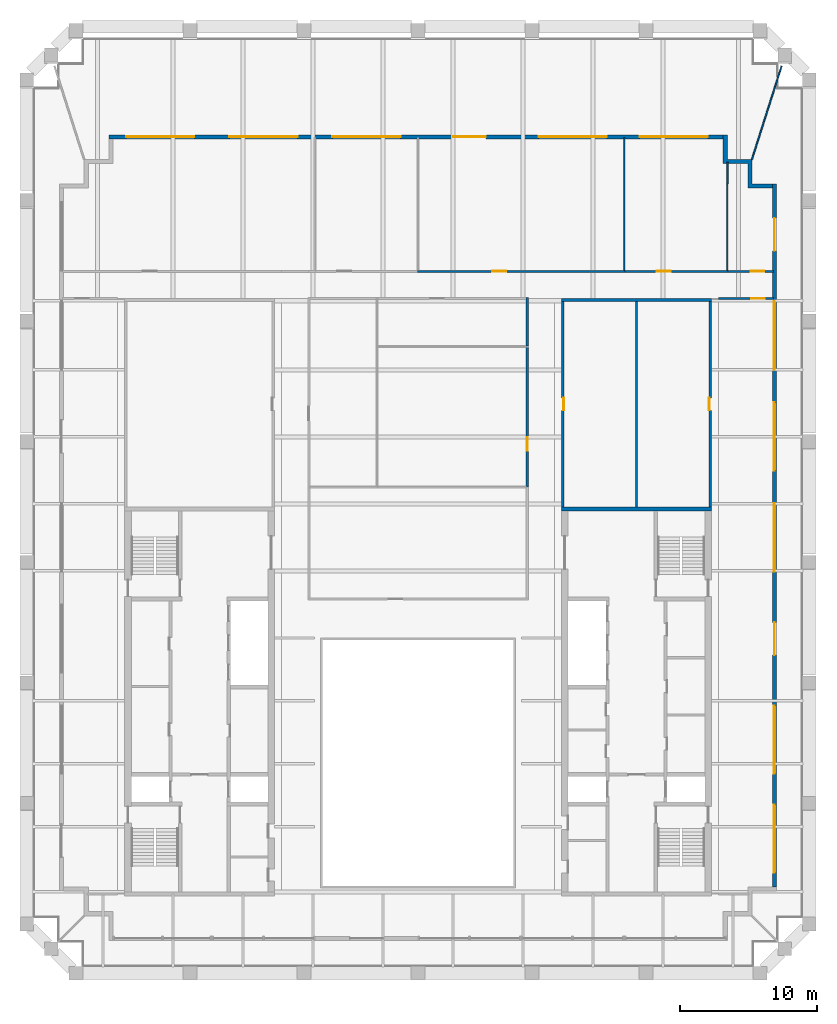
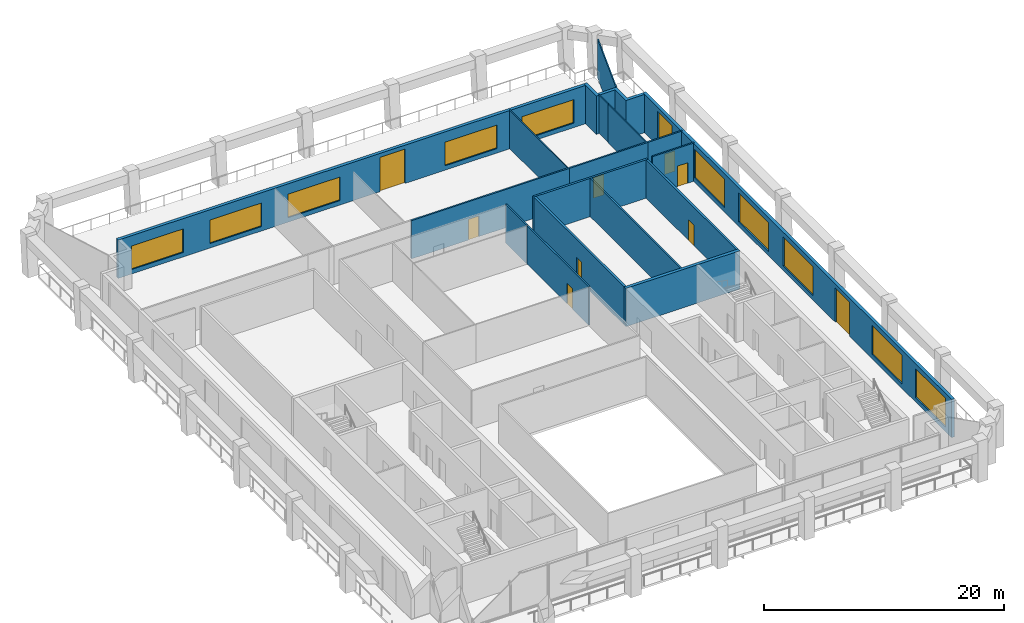
# One storey, part 8 of 10: 18 walls, 10 doors, 10 windows, 20 openings.
"""IFC4 building model written with IfcOpenShell, lengths in metres."""

from ifc_helpers import new_model, si_unit, direction, frame, frame_2d, origin, place, context, subcontext, project, spatial, polyline, rectangle, outline, extrude, material, layer, layer_set, type_object, element, fill, save


model = new_model("IFC4")

# Units and contexts
model_context = context("Model", 3, precision=1e-05, world=origin(), true_north=direction((0.0, 1.0)))
body_context = subcontext(model_context, "Body", "Model", "MODEL_VIEW")
ifc_project = project(units=[si_unit("LENGTHUNIT", "METRE"), si_unit("AREAUNIT", "SQUARE_METRE"), si_unit("VOLUMEUNIT", "CUBIC_METRE"), si_unit("PLANEANGLEUNIT", "RADIAN"), si_unit("MASSUNIT", "GRAM", prefix="KILO")], contexts=[model_context])

# Site, building, storey
site_placement = place(None, origin())
site = spatial("IfcSite", under=ifc_project, at=site_placement, CompositionType="ELEMENT")
building_placement = place(site_placement, origin())
building = spatial("IfcBuilding", under=site, at=building_placement, Name="Ogive Exchange Tower", CompositionType="ELEMENT")
storey_placement = place(building_placement, frame((0.0, 0.0, 359.39990234375)))
storey = spatial("IfcBuildingStorey", under=building, at=storey_placement, Name="L79", CompositionType="ELEMENT", Elevation=359.39990234375)

# Wall
ifc_material_1 = material(Name="Gypsum board partition")
ifc_layer_1 = layer(ifc_material_1, 0.14990234375)
ifc_layer_set_1 = layer_set([ifc_layer_1], Name="Core room partition 150 gypsum")
wall_type_1 = type_object("IfcWallType", Name="Core room partition 150 gypsum", PredefinedType="PARTITIONING", material=ifc_layer_set_1)
wall_1_placement = place(storey_placement, frame((16.0, 25.75, 0.0), z_axis=(0.0, 0.0, 1.0), x_axis=(0.0, 1.0, 0.0)))
element("IfcWall", 1, at=wall_1_placement, inside=storey, type_object=wall_type_1, Name="E annex N column wall", PredefinedType="PARTITIONING", context=body_context, shape_type="SweptSolid", body=[
    extrude(rectangle(XDim=15.050048828125, YDim=0.14990234375, at=frame_2d((7.52490234375, 0.0))), origin(), (0.0, 0.0, 1.0), 3.900146484375),
])

# Wall, opening, door
ifc_material_2 = material(Name="Fire partition EI 60 150")
ifc_layer_2 = layer(ifc_material_2, 0.14990234375)
ifc_layer_set_2 = layer_set([ifc_layer_2], Name="Fire partition EI 60 150")
wall_type_2 = type_object("IfcWallType", Name="Fire partition EI 60 150", PredefinedType="PARTITIONING", material=ifc_layer_set_2)
wall_2_placement = place(storey_placement, frame((-0.050048828125, 43.0, 0.0), z_axis=(0.0, 0.0, 1.0), x_axis=(1.0, 0.0, 0.0)))
wall_2 = element("IfcWall", 2, at=wall_2_placement, inside=storey, type_object=wall_type_2, Name="L79-PWL-016", PredefinedType="PARTITIONING", context=body_context, shape_type="SweptSolid", body=[
    extrude(rectangle(XDim=15.199951171875, YDim=0.14990234375, at=frame_2d((7.60009765625, 0.0))), origin(), (0.0, 0.0, 1.0), 3.900146484375),
])
opening_1_placement = place(wall_2_placement, frame((5.5, 0.0, 0.0)))
opening_1 = element("IfcOpeningElement", 3, at=opening_1_placement, cuts=wall_2, Name="Opening L79-I02", PredefinedType="OPENING", context=body_context, shape_type="SweptSolid", body=[
    extrude(rectangle(XDim=1.0, YDim=2.10009765625, at=frame_2d((0.5, 1.050048828125))), frame((0.0, 0.0849609375, 0.0), z_axis=(0.0, -1.0, 0.0), x_axis=(1.0, 0.0, 0.0)), (0.0, 0.0, 1.0), 0.169921875),
])
ifc_material_3 = material(Name="Fire door FD 30S 1000 x 2100")
door_type_1 = type_object("IfcDoorType", Name="Fire door FD 30S 1000 x 2100", OperationType="NOTDEFINED", PredefinedType="DOOR", material=ifc_material_3)
door_1_placement = place(opening_1_placement, origin())
door_1 = element("IfcDoor", 4, at=door_1_placement, inside=storey, type_object=door_type_1, Name="L79-IDR-002", ObjectType="DT3", OperationType="SINGLE_SWING_RIGHT", OverallHeight=2.10009765625, OverallWidth=1.0, PredefinedType="DOOR", context=body_context, shape_type="SweptSolid", body=[
    extrude(rectangle(XDim=1.0, YDim=2.10009765625, at=frame_2d((0.5, 1.050048828125))), frame((0.0, 0.02490234375, 0.0), z_axis=(0.0, -1.0, 0.0), x_axis=(1.0, 0.0, 0.0)), (0.0, 0.0, 1.0), 0.050048828125),
])
fill(opening_1, door_1)

wall_3_placement = place(storey_placement, frame((8.0, 27.199951171875, 0.0), z_axis=(0.0, 0.0, 1.0), x_axis=(0.0, 1.0, 0.0)))
wall_3 = element("IfcWall", 5, at=wall_3_placement, inside=storey, type_object=wall_type_2, Name="L79-PWL-020", PredefinedType="PARTITIONING", context=body_context, shape_type="SweptSolid", body=[
    extrude(rectangle(XDim=10.25, YDim=0.14990234375, at=frame_2d((5.125, 0.0))), origin(), (0.0, 0.0, 1.0), 3.900146484375),
])
opening_2_placement = place(wall_3_placement, frame((2.64990234375, 0.0, 0.0)))
opening_2 = element("IfcOpeningElement", 6, at=opening_2_placement, cuts=wall_3, Name="Opening L79-I06", PredefinedType="OPENING", context=body_context, shape_type="SweptSolid", body=[
    extrude(rectangle(XDim=1.0, YDim=2.10009765625, at=frame_2d((0.5, 1.050048828125))), frame((0.0, 0.0849609375, 0.0), z_axis=(0.0, -1.0, 0.0), x_axis=(1.0, 0.0, 0.0)), (0.0, 0.0, 1.0), 0.169921875),
])
door_2_placement = place(opening_2_placement, origin())
door_2 = element("IfcDoor", 7, at=door_2_placement, inside=storey, type_object=door_type_1, Name="L79-IDR-006", ObjectType="DT3", OperationType="SINGLE_SWING_RIGHT", OverallHeight=2.10009765625, OverallWidth=1.0, PredefinedType="DOOR", context=body_context, shape_type="SweptSolid", body=[
    extrude(rectangle(XDim=1.0, YDim=2.10009765625, at=frame_2d((0.5, 1.050048828125))), frame((0.0, 0.02490234375, 0.0), z_axis=(0.0, -1.0, 0.0), x_axis=(1.0, 0.0, 0.0)), (0.0, 0.0, 1.0), 0.050048828125),
])
fill(opening_2, door_2)

# Wall
wall_4_placement = place(storey_placement, frame((8.0, 37.550048828125, 0.0), z_axis=(0.0, 0.0, 1.0), x_axis=(0.0, 1.0, 0.0)))
element("IfcWall", 8, at=wall_4_placement, inside=storey, type_object=wall_type_2, Name="L79-PWL-021", PredefinedType="PARTITIONING", context=body_context, shape_type="SweptSolid", body=[
    extrude(rectangle(XDim=3.52490234375, YDim=0.14990234375, at=frame_2d((1.762451171875, 0.0))), origin(), (0.0, 0.0, 1.0), 3.900146484375),
])

# Wall, opening, door
wall_5_placement = place(storey_placement, frame((15.14990234375, 43.0, 0.0), z_axis=(0.0, 0.0, 1.0), x_axis=(1.0, 0.0, 0.0)))
wall_5 = element("IfcWall", 9, at=wall_5_placement, inside=storey, type_object=wall_type_2, Name="L79-PWL-023", PredefinedType="PARTITIONING", context=body_context, shape_type="SweptSolid", body=[
    extrude(rectangle(XDim=7.550048828125, YDim=0.14990234375, at=frame_2d((3.77490234375, 0.0))), origin(), (0.0, 0.0, 1.0), 3.900146484375),
])
opening_3_placement = place(wall_5_placement, frame((2.35009765625, 0.0, 0.0)))
opening_3 = element("IfcOpeningElement", 10, at=opening_3_placement, cuts=wall_5, Name="Opening L79-I04", PredefinedType="OPENING", context=body_context, shape_type="SweptSolid", body=[
    extrude(rectangle(XDim=1.0, YDim=2.10009765625, at=frame_2d((0.5, 1.050048828125))), frame((0.0, 0.0849609375, 0.0), z_axis=(0.0, -1.0, 0.0), x_axis=(1.0, 0.0, 0.0)), (0.0, 0.0, 1.0), 0.169921875),
])
door_3_placement = place(opening_3_placement, origin())
door_3 = element("IfcDoor", 11, at=door_3_placement, inside=storey, type_object=door_type_1, Name="L79-IDR-004", ObjectType="DT3", OperationType="SINGLE_SWING_RIGHT", OverallHeight=2.10009765625, OverallWidth=1.0, PredefinedType="DOOR", context=body_context, shape_type="SweptSolid", body=[
    extrude(rectangle(XDim=1.0, YDim=2.10009765625, at=frame_2d((0.5, 1.050048828125))), frame((0.0, 0.02490234375, 0.0), z_axis=(0.0, -1.0, 0.0), x_axis=(1.0, 0.0, 0.0)), (0.0, 0.0, 1.0), 0.050048828125),
])
fill(opening_3, door_3)

wall_6_placement = place(storey_placement, frame((22.699951171875, 43.0, 0.0), z_axis=(0.0, 0.0, 1.0), x_axis=(1.0, 0.0, 0.0)))
wall_6 = element("IfcWall", 12, at=wall_6_placement, inside=storey, type_object=wall_type_2, Name="L79-PWL-027", PredefinedType="PARTITIONING", context=body_context, shape_type="SweptSolid", body=[
    extrude(rectangle(XDim=3.35009765625, YDim=0.14990234375, at=frame_2d((1.675048828125, 0.0))), origin(), (0.0, 0.0, 1.0), 3.900146484375),
])
opening_4_placement = place(wall_6_placement, frame((1.64990234375, 0.0, 0.0)))
opening_4 = element("IfcOpeningElement", 13, at=opening_4_placement, cuts=wall_6, Name="Opening L79-I03", PredefinedType="OPENING", context=body_context, shape_type="SweptSolid", body=[
    extrude(rectangle(XDim=1.0, YDim=2.10009765625, at=frame_2d((0.5, 1.050048828125))), frame((0.0, 0.0849609375, 0.0), z_axis=(0.0, -1.0, 0.0), x_axis=(1.0, 0.0, 0.0)), (0.0, 0.0, 1.0), 0.169921875),
])
door_4_placement = place(opening_4_placement, origin())
door_4 = element("IfcDoor", 14, at=door_4_placement, inside=storey, type_object=door_type_1, Name="L79-IDR-003", ObjectType="DT3", OperationType="SINGLE_SWING_LEFT", OverallHeight=2.10009765625, OverallWidth=1.0, PredefinedType="DOOR", context=body_context, shape_type="SweptSolid", body=[
    extrude(rectangle(XDim=1.0, YDim=2.10009765625, at=frame_2d((0.5, 1.050048828125))), frame((0.0, 0.02490234375, 0.0), z_axis=(0.0, -1.0, 0.0), x_axis=(1.0, 0.0, 0.0)), (0.0, 0.0, 1.0), 0.050048828125),
])
fill(opening_4, door_4)

wall_7_placement = place(storey_placement, frame((26.050048828125, 41.0, 0.0), z_axis=(0.0, 0.0, 1.0), x_axis=(-1.0, 0.0, 0.0)))
wall_7 = element("IfcWall", 15, at=wall_7_placement, inside=storey, type_object=wall_type_2, Name="L79-PWL-029", PredefinedType="PARTITIONING", context=body_context, shape_type="SweptSolid", body=[
    extrude(rectangle(XDim=4.050048828125, YDim=0.14990234375, at=frame_2d((2.02490234375, 0.0))), origin(), (0.0, 0.0, 1.0), 3.900146484375),
])
opening_5_placement = place(wall_7_placement, frame((0.64990234375, 0.0, 0.0)))
opening_5 = element("IfcOpeningElement", 16, at=opening_5_placement, cuts=wall_7, Name="Opening L79-I11", PredefinedType="OPENING", context=body_context, shape_type="SweptSolid", body=[
    extrude(rectangle(XDim=1.0, YDim=2.10009765625, at=frame_2d((0.5, 1.050048828125))), frame((0.0, 0.0849609375, 0.0), z_axis=(0.0, -1.0, 0.0), x_axis=(1.0, 0.0, 0.0)), (0.0, 0.0, 1.0), 0.169921875),
])
door_5_placement = place(opening_5_placement, origin())
door_5 = element("IfcDoor", 17, at=door_5_placement, inside=storey, type_object=door_type_1, Name="L79-IDR-011", ObjectType="DT3", OperationType="SINGLE_SWING_RIGHT", OverallHeight=2.10009765625, OverallWidth=1.0, PredefinedType="DOOR", context=body_context, shape_type="SweptSolid", body=[
    extrude(rectangle(XDim=1.0, YDim=2.10009765625, at=frame_2d((0.5, 1.050048828125))), frame((0.0, 0.02490234375, 0.0), z_axis=(0.0, -1.0, 0.0), x_axis=(1.0, 0.0, 0.0)), (0.0, 0.0, 1.0), 0.050048828125),
])
fill(opening_5, door_5)

# Wall, openings, windows, doors
ifc_material_4 = material(Name="Precast concrete C40/50", Category="concrete")
ifc_layer_3 = layer(ifc_material_4, 0.300048828125)
ifc_layer_set_3 = layer_set([ifc_layer_3], Name="Limestone-faced wall 300")
wall_type_3 = type_object("IfcWallType", Name="Limestone-faced wall 300", PredefinedType="STANDARD", material=ifc_layer_set_3)
wall_8_placement = place(storey_placement, frame((26.10009765625, -2.10009765625, 0.0), z_axis=(0.0, 0.0, 1.0), x_axis=(0.0, 1.0, 0.0)))
wall_8 = element("IfcWall", 18, at=wall_8_placement, inside=storey, type_object=wall_type_3, Name="External wall E2", PredefinedType="STANDARD", context=body_context, shape_type="SweptSolid", body=[
    extrude(rectangle(XDim=51.5, YDim=0.300048828125, at=frame_2d((25.75, 0.0))), origin(), (0.0, 0.0, 1.0), 3.900146484375),
])
opening_6_placement = place(wall_8_placement, frame((1.050048828125, 0.0, 0.449951171875)))
opening_6 = element("IfcOpeningElement", 19, at=opening_6_placement, cuts=wall_8, Name="Opening W2A", PredefinedType="OPENING", context=body_context, shape_type="SweptSolid", body=[
    extrude(rectangle(XDim=5.0, YDim=2.949951171875, at=frame_2d((2.5, 1.47509765625))), frame((0.0, 0.159912109375, 0.0), z_axis=(0.0, -1.0, 0.0), x_axis=(1.0, 0.0, 0.0)), (0.0, 0.0, 1.0), 0.320068359375),
])
opening_7_placement = place(wall_8_placement, frame((8.300048828125, 0.0, 0.449951171875)))
opening_7 = element("IfcOpeningElement", 20, at=opening_7_placement, cuts=wall_8, Name="Opening W2A", PredefinedType="OPENING", context=body_context, shape_type="SweptSolid", body=[
    extrude(rectangle(XDim=5.0, YDim=2.949951171875, at=frame_2d((2.5, 1.47509765625))), frame((0.0, 0.159912109375, 0.0), z_axis=(0.0, -1.0, 0.0), x_axis=(1.0, 0.0, 0.0)), (0.0, 0.0, 1.0), 0.320068359375),
])
opening_8_placement = place(wall_8_placement, frame((17.0, 0.0, 0.0)))
opening_8 = element("IfcOpeningElement", 21, at=opening_8_placement, cuts=wall_8, Name="Opening D1", PredefinedType="OPENING", context=body_context, shape_type="SweptSolid", body=[
    extrude(rectangle(XDim=2.39990234375, YDim=3.5, at=frame_2d((1.199951171875, 1.75))), frame((0.0, 0.159912109375, 0.0), z_axis=(0.0, -1.0, 0.0), x_axis=(1.0, 0.0, 0.0)), (0.0, 0.0, 1.0), 0.320068359375),
])
opening_9_placement = place(wall_8_placement, frame((23.10009765625, 0.0, 0.449951171875)))
opening_9 = element("IfcOpeningElement", 22, at=opening_9_placement, cuts=wall_8, Name="Opening W2A", PredefinedType="OPENING", context=body_context, shape_type="SweptSolid", body=[
    extrude(rectangle(XDim=5.0, YDim=2.949951171875, at=frame_2d((2.5, 1.47509765625))), frame((0.0, 0.159912109375, 0.0), z_axis=(0.0, -1.0, 0.0), x_axis=(1.0, 0.0, 0.0)), (0.0, 0.0, 1.0), 0.320068359375),
])
opening_10_placement = place(wall_8_placement, frame((30.5, 0.0, 0.449951171875)))
opening_10 = element("IfcOpeningElement", 23, at=opening_10_placement, cuts=wall_8, Name="Opening W2A", PredefinedType="OPENING", context=body_context, shape_type="SweptSolid", body=[
    extrude(rectangle(XDim=5.0, YDim=2.949951171875, at=frame_2d((2.5, 1.47509765625))), frame((0.0, 0.159912109375, 0.0), z_axis=(0.0, -1.0, 0.0), x_axis=(1.0, 0.0, 0.0)), (0.0, 0.0, 1.0), 0.320068359375),
])
opening_11_placement = place(wall_8_placement, frame((37.89990234375, 0.0, 0.449951171875)))
opening_11 = element("IfcOpeningElement", 24, at=opening_11_placement, cuts=wall_8, Name="Opening W2B", PredefinedType="OPENING", context=body_context, shape_type="SweptSolid", body=[
    extrude(rectangle(XDim=5.0, YDim=2.89990234375, at=frame_2d((2.5, 1.449951171875))), frame((0.0, 0.159912109375, 0.0), z_axis=(0.0, -1.0, 0.0), x_axis=(1.0, 0.0, 0.0)), (0.0, 0.0, 1.0), 0.320068359375),
])
opening_12_placement = place(wall_8_placement, frame((46.60009765625, 0.0, 0.0)))
opening_12 = element("IfcOpeningElement", 25, at=opening_12_placement, cuts=wall_8, Name="Opening D1", PredefinedType="OPENING", context=body_context, shape_type="SweptSolid", body=[
    extrude(rectangle(XDim=2.39990234375, YDim=3.5, at=frame_2d((1.199951171875, 1.75))), frame((0.0, 0.159912109375, 0.0), z_axis=(0.0, -1.0, 0.0), x_axis=(1.0, 0.0, 0.0)), (0.0, 0.0, 1.0), 0.320068359375),
])
ifc_material_5 = material(Name="Clear glass in bronze frame", Category="glass")
window_type_1 = type_object("IfcWindowType", Name="Executive lancet window 5000 x 2900", PartitioningType="DOUBLE_PANEL_VERTICAL", PredefinedType="WINDOW", material=ifc_material_5)
window_1_placement = place(opening_11_placement, origin())
window_1 = element("IfcWindow", 26, at=window_1_placement, inside=storey, type_object=window_type_1, Name="Window E05", OverallHeight=2.89990234375, OverallWidth=5.0, PartitioningType="DOUBLE_PANEL_VERTICAL", PredefinedType="WINDOW", context=body_context, shape_type="SweptSolid", body=[
    extrude(rectangle(XDim=5.0, YDim=2.89990234375, at=frame_2d((2.5, 1.449951171875))), frame((0.0, 0.030029296875, 0.0), z_axis=(0.0, -1.0, 0.0), x_axis=(1.0, 0.0, 0.0)), (0.0, 0.0, 1.0), 0.06005859375),
])
fill(opening_11, window_1)
window_type_2 = type_object("IfcWindowType", Name="Executive lancet window 5000 x 2950", PartitioningType="DOUBLE_PANEL_VERTICAL", PredefinedType="WINDOW", material=ifc_material_5)
window_2_placement = place(opening_6_placement, origin())
window_2 = element("IfcWindow", 27, at=window_2_placement, inside=storey, type_object=window_type_2, Name="Window E00", OverallHeight=2.949951171875, OverallWidth=5.0, PartitioningType="DOUBLE_PANEL_VERTICAL", PredefinedType="WINDOW", context=body_context, shape_type="SweptSolid", body=[
    extrude(rectangle(XDim=5.0, YDim=2.949951171875, at=frame_2d((2.5, 1.47509765625))), frame((0.0, 0.030029296875, 0.0), z_axis=(0.0, -1.0, 0.0), x_axis=(1.0, 0.0, 0.0)), (0.0, 0.0, 1.0), 0.06005859375),
])
fill(opening_6, window_2)
window_3_placement = place(opening_7_placement, origin())
window_3 = element("IfcWindow", 28, at=window_3_placement, inside=storey, type_object=window_type_2, Name="Window E01", OverallHeight=2.949951171875, OverallWidth=5.0, PartitioningType="DOUBLE_PANEL_VERTICAL", PredefinedType="WINDOW", context=body_context, shape_type="SweptSolid", body=[
    extrude(rectangle(XDim=5.0, YDim=2.949951171875, at=frame_2d((2.5, 1.47509765625))), frame((0.0, 0.030029296875, 0.0), z_axis=(0.0, -1.0, 0.0), x_axis=(1.0, 0.0, 0.0)), (0.0, 0.0, 1.0), 0.06005859375),
])
fill(opening_7, window_3)
window_4_placement = place(opening_9_placement, origin())
window_4 = element("IfcWindow", 29, at=window_4_placement, inside=storey, type_object=window_type_2, Name="Window E03", OverallHeight=2.949951171875, OverallWidth=5.0, PartitioningType="DOUBLE_PANEL_VERTICAL", PredefinedType="WINDOW", context=body_context, shape_type="SweptSolid", body=[
    extrude(rectangle(XDim=5.0, YDim=2.949951171875, at=frame_2d((2.5, 1.47509765625))), frame((0.0, 0.030029296875, 0.0), z_axis=(0.0, -1.0, 0.0), x_axis=(1.0, 0.0, 0.0)), (0.0, 0.0, 1.0), 0.06005859375),
])
fill(opening_9, window_4)
window_5_placement = place(opening_10_placement, origin())
window_5 = element("IfcWindow", 30, at=window_5_placement, inside=storey, type_object=window_type_2, Name="Window E04", OverallHeight=2.949951171875, OverallWidth=5.0, PartitioningType="DOUBLE_PANEL_VERTICAL", PredefinedType="WINDOW", context=body_context, shape_type="SweptSolid", body=[
    extrude(rectangle(XDim=5.0, YDim=2.949951171875, at=frame_2d((2.5, 1.47509765625))), frame((0.0, 0.030029296875, 0.0), z_axis=(0.0, -1.0, 0.0), x_axis=(1.0, 0.0, 0.0)), (0.0, 0.0, 1.0), 0.06005859375),
])
fill(opening_10, window_5)
door_type_2 = type_object("IfcDoorType", Name="Sliding loggia door 2400 x 3500", OperationType="DOUBLE_DOOR_SLIDING", PredefinedType="DOOR", material=ifc_material_5)
door_6_placement = place(opening_8_placement, origin())
door_6 = element("IfcDoor", 31, at=door_6_placement, inside=storey, type_object=door_type_2, Name="Loggia door E02", OperationType="DOUBLE_DOOR_SLIDING", OverallHeight=3.5, OverallWidth=2.39990234375, PredefinedType="DOOR", context=body_context, shape_type="SweptSolid", body=[
    extrude(rectangle(XDim=2.39990234375, YDim=3.5, at=frame_2d((1.199951171875, 1.75))), frame((0.0, 0.02490234375, 0.0), z_axis=(0.0, -1.0, 0.0), x_axis=(1.0, 0.0, 0.0)), (0.0, 0.0, 1.0), 0.050048828125),
])
fill(opening_8, door_6)
door_7_placement = place(opening_12_placement, origin())
door_7 = element("IfcDoor", 32, at=door_7_placement, inside=storey, type_object=door_type_2, Name="Loggia door E06", OperationType="DOUBLE_DOOR_SLIDING", OverallHeight=3.5, OverallWidth=2.39990234375, PredefinedType="DOOR", context=body_context, shape_type="SweptSolid", body=[
    extrude(rectangle(XDim=2.39990234375, YDim=3.5, at=frame_2d((1.199951171875, 1.75))), frame((0.0, 0.02490234375, 0.0), z_axis=(0.0, -1.0, 0.0), x_axis=(1.0, 0.0, 0.0)), (0.0, 0.0, 1.0), 0.050048828125),
])
fill(opening_12, door_7)

# Wall, openings, windows, door
wall_9_placement = place(storey_placement, frame((22.35009765625, 52.85009765625, 0.0), z_axis=(0.0, 0.0, 1.0), x_axis=(-1.0, 0.0, 0.0)))
wall_9 = element("IfcWall", 33, at=wall_9_placement, inside=storey, type_object=wall_type_3, Name="External wall N3", PredefinedType="STANDARD", context=body_context, shape_type="SweptSolid", body=[
    extrude(rectangle(XDim=45.0, YDim=0.300048828125, at=frame_2d((22.5, 0.0))), origin(), (0.0, 0.0, 1.0), 3.900146484375),
])
opening_13_placement = place(wall_9_placement, frame((1.125, 0.0, 0.449951171875)))
opening_13 = element("IfcOpeningElement", 34, at=opening_13_placement, cuts=wall_9, Name="Opening W2L", PredefinedType="OPENING", context=body_context, shape_type="SweptSolid", body=[
    extrude(rectangle(XDim=5.0, YDim=2.39990234375, at=frame_2d((2.5, 1.199951171875))), frame((0.0, 0.159912109375, 0.0), z_axis=(0.0, -1.0, 0.0), x_axis=(1.0, 0.0, 0.0)), (0.0, 0.0, 1.0), 0.320068359375),
])
opening_14_placement = place(wall_9_placement, frame((8.52490234375, 0.0, 0.449951171875)))
opening_14 = element("IfcOpeningElement", 35, at=opening_14_placement, cuts=wall_9, Name="Opening W2L", PredefinedType="OPENING", context=body_context, shape_type="SweptSolid", body=[
    extrude(rectangle(XDim=5.0, YDim=2.39990234375, at=frame_2d((2.5, 1.199951171875))), frame((0.0, 0.159912109375, 0.0), z_axis=(0.0, -1.0, 0.0), x_axis=(1.0, 0.0, 0.0)), (0.0, 0.0, 1.0), 0.320068359375),
])
opening_15_placement = place(wall_9_placement, frame((17.375, 0.0, 0.0)))
opening_15 = element("IfcOpeningElement", 36, at=opening_15_placement, cuts=wall_9, Name="Opening D1", PredefinedType="OPENING", context=body_context, shape_type="SweptSolid", body=[
    extrude(rectangle(XDim=2.39990234375, YDim=3.5, at=frame_2d((1.199951171875, 1.75))), frame((0.0, 0.159912109375, 0.0), z_axis=(0.0, -1.0, 0.0), x_axis=(1.0, 0.0, 0.0)), (0.0, 0.0, 1.0), 0.320068359375),
])
opening_16_placement = place(wall_9_placement, frame((23.625, 0.0, 0.449951171875)))
opening_16 = element("IfcOpeningElement", 37, at=opening_16_placement, cuts=wall_9, Name="Opening W2L", PredefinedType="OPENING", context=body_context, shape_type="SweptSolid", body=[
    extrude(rectangle(XDim=5.0, YDim=2.39990234375, at=frame_2d((2.5, 1.199951171875))), frame((0.0, 0.159912109375, 0.0), z_axis=(0.0, -1.0, 0.0), x_axis=(1.0, 0.0, 0.0)), (0.0, 0.0, 1.0), 0.320068359375),
])
opening_17_placement = place(wall_9_placement, frame((31.175048828125, 0.0, 0.449951171875)))
opening_17 = element("IfcOpeningElement", 38, at=opening_17_placement, cuts=wall_9, Name="Opening W2L", PredefinedType="OPENING", context=body_context, shape_type="SweptSolid", body=[
    extrude(rectangle(XDim=5.0, YDim=2.39990234375, at=frame_2d((2.5, 1.199951171875))), frame((0.0, 0.159912109375, 0.0), z_axis=(0.0, -1.0, 0.0), x_axis=(1.0, 0.0, 0.0)), (0.0, 0.0, 1.0), 0.320068359375),
])
opening_18_placement = place(wall_9_placement, frame((38.72509765625, 0.0, 0.449951171875)))
opening_18 = element("IfcOpeningElement", 39, at=opening_18_placement, cuts=wall_9, Name="Opening W2L", PredefinedType="OPENING", context=body_context, shape_type="SweptSolid", body=[
    extrude(rectangle(XDim=5.0, YDim=2.39990234375, at=frame_2d((2.5, 1.199951171875))), frame((0.0, 0.159912109375, 0.0), z_axis=(0.0, -1.0, 0.0), x_axis=(1.0, 0.0, 0.0)), (0.0, 0.0, 1.0), 0.320068359375),
])
window_type_3 = type_object("IfcWindowType", Name="Executive lancet window 5000 x 2400", PartitioningType="DOUBLE_PANEL_VERTICAL", PredefinedType="WINDOW", material=ifc_material_5)
window_6_placement = place(opening_13_placement, origin())
window_6 = element("IfcWindow", 40, at=window_6_placement, inside=storey, type_object=window_type_3, Name="Window N00", OverallHeight=2.39990234375, OverallWidth=5.0, PartitioningType="DOUBLE_PANEL_VERTICAL", PredefinedType="WINDOW", context=body_context, shape_type="SweptSolid", body=[
    extrude(rectangle(XDim=5.0, YDim=2.39990234375, at=frame_2d((2.5, 1.199951171875))), frame((0.0, 0.030029296875, 0.0), z_axis=(0.0, -1.0, 0.0), x_axis=(1.0, 0.0, 0.0)), (0.0, 0.0, 1.0), 0.06005859375),
])
fill(opening_13, window_6)
window_7_placement = place(opening_14_placement, origin())
window_7 = element("IfcWindow", 41, at=window_7_placement, inside=storey, type_object=window_type_3, Name="Window N01", OverallHeight=2.39990234375, OverallWidth=5.0, PartitioningType="DOUBLE_PANEL_VERTICAL", PredefinedType="WINDOW", context=body_context, shape_type="SweptSolid", body=[
    extrude(rectangle(XDim=5.0, YDim=2.39990234375, at=frame_2d((2.5, 1.199951171875))), frame((0.0, 0.030029296875, 0.0), z_axis=(0.0, -1.0, 0.0), x_axis=(1.0, 0.0, 0.0)), (0.0, 0.0, 1.0), 0.06005859375),
])
fill(opening_14, window_7)
window_8_placement = place(opening_16_placement, origin())
window_8 = element("IfcWindow", 42, at=window_8_placement, inside=storey, type_object=window_type_3, Name="Window N03", OverallHeight=2.39990234375, OverallWidth=5.0, PartitioningType="DOUBLE_PANEL_VERTICAL", PredefinedType="WINDOW", context=body_context, shape_type="SweptSolid", body=[
    extrude(rectangle(XDim=5.0, YDim=2.39990234375, at=frame_2d((2.5, 1.199951171875))), frame((0.0, 0.030029296875, 0.0), z_axis=(0.0, -1.0, 0.0), x_axis=(1.0, 0.0, 0.0)), (0.0, 0.0, 1.0), 0.06005859375),
])
fill(opening_16, window_8)
window_9_placement = place(opening_17_placement, origin())
window_9 = element("IfcWindow", 43, at=window_9_placement, inside=storey, type_object=window_type_3, Name="Window N04", OverallHeight=2.39990234375, OverallWidth=5.0, PartitioningType="DOUBLE_PANEL_VERTICAL", PredefinedType="WINDOW", context=body_context, shape_type="SweptSolid", body=[
    extrude(rectangle(XDim=5.0, YDim=2.39990234375, at=frame_2d((2.5, 1.199951171875))), frame((0.0, 0.030029296875, 0.0), z_axis=(0.0, -1.0, 0.0), x_axis=(1.0, 0.0, 0.0)), (0.0, 0.0, 1.0), 0.06005859375),
])
fill(opening_17, window_9)
window_10_placement = place(opening_18_placement, origin())
window_10 = element("IfcWindow", 44, at=window_10_placement, inside=storey, type_object=window_type_3, Name="Window N05", OverallHeight=2.39990234375, OverallWidth=5.0, PartitioningType="DOUBLE_PANEL_VERTICAL", PredefinedType="WINDOW", context=body_context, shape_type="SweptSolid", body=[
    extrude(rectangle(XDim=5.0, YDim=2.39990234375, at=frame_2d((2.5, 1.199951171875))), frame((0.0, 0.030029296875, 0.0), z_axis=(0.0, -1.0, 0.0), x_axis=(1.0, 0.0, 0.0)), (0.0, 0.0, 1.0), 0.06005859375),
])
fill(opening_18, window_10)
door_8_placement = place(opening_15_placement, origin())
door_8 = element("IfcDoor", 45, at=door_8_placement, inside=storey, type_object=door_type_2, Name="Loggia door N02", OperationType="DOUBLE_DOOR_SLIDING", OverallHeight=3.5, OverallWidth=2.39990234375, PredefinedType="DOOR", context=body_context, shape_type="SweptSolid", body=[
    extrude(rectangle(XDim=2.39990234375, YDim=3.5, at=frame_2d((1.199951171875, 1.75))), frame((0.0, 0.02490234375, 0.0), z_axis=(0.0, -1.0, 0.0), x_axis=(1.0, 0.0, 0.0)), (0.0, 0.0, 1.0), 0.050048828125),
])
fill(opening_15, door_8)

# Walls
wall_10_placement = place(storey_placement, origin())
element("IfcWall", 46, at=wall_10_placement, inside=storey, type_object=wall_type_3, Name="External corner wall C2", PredefinedType="STANDARD", context=body_context, shape_type="SweptSolid", body=[
    extrude(outline(polyline([(24.14990234375, 50.89990234375), (22.35009765625, 50.89990234375), (22.35009765625, 53.0), (22.64990234375, 53.0), (22.64990234375, 51.199951171875), (24.449951171875, 51.199951171875), (24.449951171875, 49.39990234375), (25.949951171875, 49.39990234375), (25.949951171875, 49.10009765625), (24.14990234375, 49.10009765625), (24.14990234375, 50.89990234375)])), origin(), (0.0, 0.0, 1.0), 3.900146484375),
])
ifc_material_6 = material(Name="Laminated safety glass in steel frame", Category="steel")
ifc_layer_4 = layer(ifc_material_6, 0.10009765625)
ifc_layer_set_4 = layer_set([ifc_layer_4], Name="Loggia end screen 100")
wall_type_4 = type_object("IfcWallType", Name="Loggia end screen 100", PredefinedType="STANDARD", material=ifc_layer_set_4)
wall_11_placement = place(storey_placement, frame((24.449951171875, 51.199951171875, -0.0498046875), z_axis=(0.0, 0.0, 1.0), x_axis=(0.303785175512, 0.952740556048, 0.0)))
element("IfcWall", 47, at=wall_11_placement, inside=storey, type_object=wall_type_4, Name="Loggia end screen C2", PredefinedType="STANDARD", context=body_context, shape_type="SweptSolid", body=[
    extrude(rectangle(XDim=7.173583984375, YDim=0.10009765625, at=frame_2d((3.5869140625, 0.0))), origin(), (0.0, 0.0, 1.0), 3.949951171875),
])
ifc_material_7 = material(Name="Partition 100 gypsum")
ifc_layer_5 = layer(ifc_material_7, 0.10009765625)
ifc_layer_set_5 = layer_set([ifc_layer_5], Name="Partition 100 gypsum")
wall_type_5 = type_object("IfcWallType", Name="Partition 100 gypsum", PredefinedType="PARTITIONING", material=ifc_layer_set_5)
wall_12_placement = place(storey_placement, frame((15.10009765625, 52.800048828125, 0.0), z_axis=(0.0, 0.0, 1.0), x_axis=(0.0, -1.0, 0.0)))
element("IfcWall", 48, at=wall_12_placement, inside=storey, type_object=wall_type_5, Name="L79-PWL-024", PredefinedType="PARTITIONING", context=body_context, shape_type="SweptSolid", body=[
    extrude(rectangle(XDim=9.72509765625, YDim=0.10009765625, at=frame_2d((4.862548828125, 0.0))), origin(), (0.0, 0.0, 1.0), 3.900146484375),
])
wall_13_placement = place(storey_placement, frame((22.64990234375, 43.074951171875, 0.0), z_axis=(0.0, 0.0, 1.0), x_axis=(0.0, 1.0, 0.0)))
element("IfcWall", 49, at=wall_13_placement, inside=storey, type_object=wall_type_5, Name="L79-PWL-026", PredefinedType="PARTITIONING", context=body_context, shape_type="SweptSolid", body=[
    extrude(rectangle(XDim=6.3349609375, YDim=0.10009765625, at=frame_2d((3.16748046875, 0.0))), origin(), (0.0, 0.0, 1.0), 3.900146484375),
])
wall_14_placement = place(storey_placement, frame((22.659912109375, 49.409912109375, 0.0), z_axis=(0.0, 0.0, 1.0), x_axis=(0.0, 1.0, 0.0)))
element("IfcWall", 50, at=wall_14_placement, inside=storey, type_object=wall_type_5, Name="L79-PWL-028", PredefinedType="PARTITIONING", context=body_context, shape_type="SweptSolid", body=[
    extrude(rectangle(XDim=1.590087890625, YDim=0.10009765625, at=frame_2d((0.794921875, 0.0))), origin(), (0.0, 0.0, 1.0), 3.900146484375),
])

# Wall, opening, door
ifc_material_8 = material(Name="Concrete C70/85", Category="concrete")
ifc_layer_6 = layer(ifc_material_8, 0.199951171875)
ifc_layer_set_6 = layer_set([ifc_layer_6], Name="RC core wall 200 C70/85")
wall_type_6 = type_object("IfcWallType", Name="RC core wall 200 C70/85", PredefinedType="SHEAR", material=ifc_layer_set_6)
wall_15_placement = place(storey_placement, frame((21.39990234375, 25.75, 0.0), z_axis=(0.0, 0.0, 1.0), x_axis=(0.0, 1.0, 0.0)))
wall_15 = element("IfcWall", 51, at=wall_15_placement, inside=storey, type_object=wall_type_6, Name="E annex N outer wall", PredefinedType="SHEAR", context=body_context, shape_type="SweptSolid", body=[
    extrude(rectangle(XDim=15.050048828125, YDim=0.199951171875, at=frame_2d((7.52490234375, 0.0))), origin(), (0.0, 0.0, 1.0), 3.900146484375),
])
opening_19_placement = place(wall_15_placement, frame((7.074951171875, 0.0, 0.0)))
opening_19 = element("IfcOpeningElement", 52, at=opening_19_placement, cuts=wall_15, Name="Opening L79-C36", PredefinedType="OPENING", context=body_context, shape_type="SweptSolid", body=[
    extrude(rectangle(XDim=0.89990234375, YDim=2.10009765625, at=frame_2d((0.449951171875, 1.050048828125))), frame((0.0, 0.10986328125, 0.0), z_axis=(0.0, -1.0, 0.0), x_axis=(1.0, 0.0, 0.0)), (0.0, 0.0, 1.0), 0.219970703125),
])
ifc_material_9 = material(Name="Steel fire door", Category="steel")
door_type_3 = type_object("IfcDoorType", Name="Riser door FD60 900 x 2100", OperationType="NOTDEFINED", PredefinedType="DOOR", material=ifc_material_9)
door_9_placement = place(opening_19_placement, frame((0.89990234375, 0.14990234375, 0.0), z_axis=(0.0, 0.0, 1.0), x_axis=(-1.0, 0.0, 0.0)))
door_9 = element("IfcDoor", 53, at=door_9_placement, inside=storey, type_object=door_type_3, Name="Riser door", ObjectType="CD2", OperationType="SINGLE_SWING_LEFT", OverallHeight=2.10009765625, OverallWidth=0.89990234375, PredefinedType="DOOR", context=body_context, shape_type="SweptSolid", body=[
    extrude(rectangle(XDim=0.89990234375, YDim=2.10009765625, at=frame_2d((0.449951171875, 1.050048828125))), frame((0.0, 0.10009765625, 0.0), z_axis=(0.0, -1.0, 0.0), x_axis=(1.0, 0.0, 0.0)), (0.0, 0.0, 1.0), 0.050048828125),
])
fill(opening_19, door_9)

wall_16_placement = place(storey_placement, frame((10.60009765625, 25.75, 0.0), z_axis=(0.0, 0.0, 1.0), x_axis=(0.0, 1.0, 0.0)))
wall_16 = element("IfcWall", 54, at=wall_16_placement, inside=storey, type_object=wall_type_6, Name="E annex N inner wall", PredefinedType="SHEAR", context=body_context, shape_type="SweptSolid", body=[
    extrude(rectangle(XDim=15.050048828125, YDim=0.199951171875, at=frame_2d((7.52490234375, 0.0))), origin(), (0.0, 0.0, 1.0), 3.900146484375),
])
opening_20_placement = place(wall_16_placement, frame((7.074951171875, 0.0, 0.0)))
opening_20 = element("IfcOpeningElement", 55, at=opening_20_placement, cuts=wall_16, Name="Opening L79-C37", PredefinedType="OPENING", context=body_context, shape_type="SweptSolid", body=[
    extrude(rectangle(XDim=0.89990234375, YDim=2.10009765625, at=frame_2d((0.449951171875, 1.050048828125))), frame((0.0, 0.10986328125, 0.0), z_axis=(0.0, -1.0, 0.0), x_axis=(1.0, 0.0, 0.0)), (0.0, 0.0, 1.0), 0.219970703125),
])
door_10_placement = place(opening_20_placement, origin())
door_10 = element("IfcDoor", 56, at=door_10_placement, inside=storey, type_object=door_type_3, Name="Riser door", ObjectType="CD2", OperationType="SINGLE_SWING_RIGHT", OverallHeight=2.10009765625, OverallWidth=0.89990234375, PredefinedType="DOOR", context=body_context, shape_type="SweptSolid", body=[
    extrude(rectangle(XDim=0.89990234375, YDim=2.10009765625, at=frame_2d((0.449951171875, 1.050048828125))), frame((0.0, -0.0498046875, 0.0), z_axis=(0.0, -1.0, 0.0), x_axis=(1.0, 0.0, 0.0)), (0.0, 0.0, 1.0), 0.050048828125),
])
fill(opening_20, door_10)

# Walls
wall_17_placement = place(storey_placement, frame((10.5, 40.89990234375, 0.0), z_axis=(0.0, 0.0, 1.0), x_axis=(1.0, 0.0, 0.0)))
element("IfcWall", 57, at=wall_17_placement, inside=storey, type_object=wall_type_6, Name="E annex N end wall", PredefinedType="SHEAR", context=body_context, shape_type="SweptSolid", body=[
    extrude(rectangle(XDim=11.0, YDim=0.199951171875, at=frame_2d((5.5, 0.0))), origin(), (0.0, 0.0, 1.0), 3.900146484375),
])
ifc_layer_7 = layer(ifc_material_8, 0.300048828125)
ifc_layer_set_7 = layer_set([ifc_layer_7], Name="RC core wall 300 C70/85")
wall_type_7 = type_object("IfcWallType", Name="RC core wall 300 C70/85", PredefinedType="SHEAR", material=ifc_layer_set_7)
wall_18_placement = place(storey_placement, frame((10.5, 25.60009765625, 0.0), z_axis=(0.0, 0.0, 1.0), x_axis=(1.0, 0.0, 0.0)))
element("IfcWall", 58, at=wall_18_placement, inside=storey, type_object=wall_type_7, Name="E north end wall", PredefinedType="SHEAR", context=body_context, shape_type="SweptSolid", body=[
    extrude(rectangle(XDim=11.0, YDim=0.300048828125, at=frame_2d((5.5, 0.0))), origin(), (0.0, 0.0, 1.0), 3.900146484375),
])

save(model, "model.ifc")
